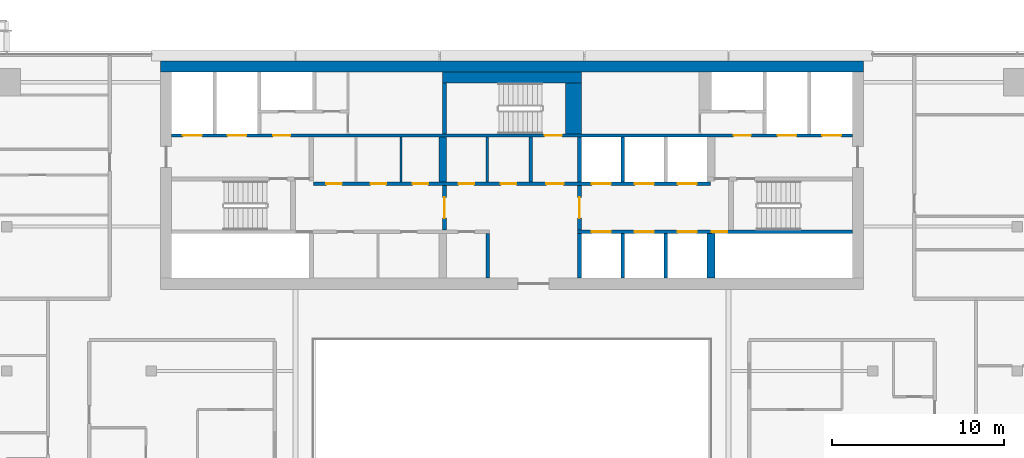
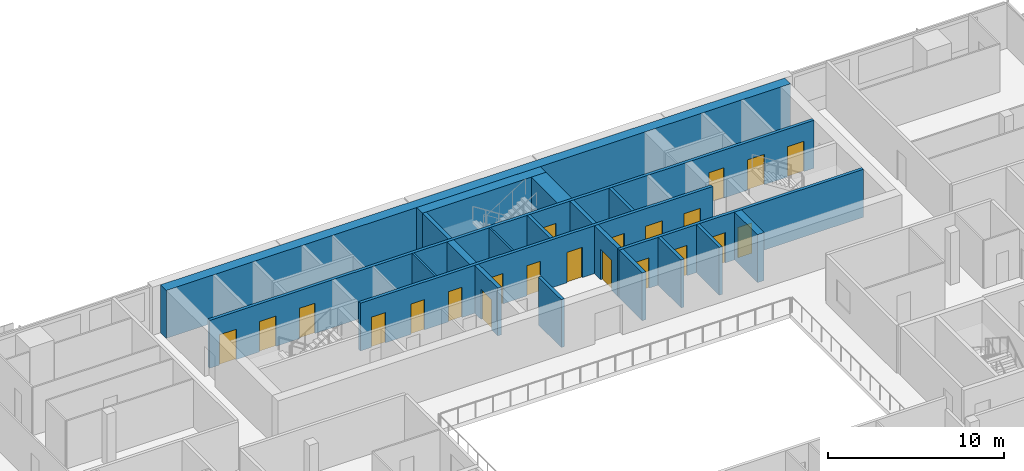
# One storey, part 22 of 30: 22 doors, 20 walls, 22 openings.
"""IFC4 building model written with IfcOpenShell, lengths in metres."""

from ifc_helpers import new_model, si_unit, direction, frame, frame_2d, origin, place, context, subcontext, project, spatial, rectangle, extrude, material, layer, layer_set, type_object, element, fill, save


model = new_model("IFC4")

# Units and contexts
model_context = context("Model", 3, precision=1e-05, world=origin(), true_north=direction((0.0, 1.0)))
body_context = subcontext(model_context, "Body", "Model", "MODEL_VIEW")
ifc_project = project(units=[si_unit("LENGTHUNIT", "METRE"), si_unit("AREAUNIT", "SQUARE_METRE"), si_unit("VOLUMEUNIT", "CUBIC_METRE"), si_unit("PLANEANGLEUNIT", "RADIAN"), si_unit("MASSUNIT", "GRAM", prefix="KILO")], contexts=[model_context])

# Site, building, storey
site_placement = place(None, origin())
site = spatial("IfcSite", under=ifc_project, at=site_placement, CompositionType="ELEMENT")
building_placement = place(site_placement, origin())
building = spatial("IfcBuilding", under=site, at=building_placement, Name="Saffron Gate Tower", CompositionType="ELEMENT")
storey_placement = place(building_placement, frame((0.0, 0.0, 237.89990234375)))
storey = spatial("IfcBuildingStorey", under=building, at=storey_placement, Name="L58", CompositionType="ELEMENT", Elevation=237.89990234375)

# Walls
ifc_material_1 = material(Name="Gypsum board partition on steel studs", Category="steel")
ifc_layer_1 = layer(ifc_material_1, 0.199951171875)
ifc_layer_set_1 = layer_set([ifc_layer_1], Name="CW10 Core partition 200")
wall_type_1 = type_object("IfcWallType", Name="CW10 Core partition 200", PredefinedType="PARTITIONING", material=ifc_layer_set_1)
for number, where, z_axis, x_axis, name in (
    (1, (86.199951171875, 62.39990234375, 0.0), (0.0, 0.0, 1.0), (0.0, 1.0, 0.0), "Wall CW10-L58-8"),
    (2, (88.699951171875, 68.0, 0.0), (0.0, 0.0, 1.0), (0.0, 1.0, 0.0), "Wall CW10-L58-24"),
):
    element("IfcWall", number, at=place(storey_placement, frame(where, z_axis=z_axis, x_axis=x_axis)), inside=storey, type_object=wall_type_1, Name=name, PredefinedType="PARTITIONING", context=body_context, shape_type="SweptSolid", body=[
        extrude(rectangle(XDim=2.60009765625, YDim=0.199951171875, at=frame_2d((1.300048828125, 0.0))), origin(), (0.0, 0.0, 1.0), 3.320068359375),
    ])
ifc_material_2 = material(Name="Concrete C60", Category="concrete")
ifc_layer_2 = layer(ifc_material_2, 0.25)
ifc_layer_set_2 = layer_set([ifc_layer_2], Name="CW14 RC core wall 250 C60")
wall_type_2 = type_object("IfcWallType", Name="CW14 RC core wall 250 C60", PredefinedType="SOLIDWALL", material=ifc_layer_set_2)
wall_1_placement = place(storey_placement, frame((91.52490234375, 62.39990234375, 0.0), z_axis=(0.0, 0.0, 1.0), x_axis=(0.0, 1.0, 0.0)))
element("IfcWall", 3, at=wall_1_placement, inside=storey, type_object=wall_type_2, Name="Wall CW14-L58-9", PredefinedType="SOLIDWALL", context=body_context, shape_type="SweptSolid", body=[
    extrude(rectangle(XDim=2.60009765625, YDim=0.25, at=frame_2d((1.300048828125, 0.0))), origin(), (0.0, 0.0, 1.0), 3.320068359375),
])

# Wall, opening, door
wall_2_placement = place(storey_placement, frame((83.675048828125, 65.199951171875, 0.0), z_axis=(0.0, 0.0, 1.0), x_axis=(0.0, 1.0, 0.0)))
wall_2 = element("IfcWall", 4, at=wall_2_placement, inside=storey, type_object=wall_type_2, Name="Wall CW14-L58-16", PredefinedType="SOLIDWALL", context=body_context, shape_type="SweptSolid", body=[
    extrude(rectangle(XDim=2.60009765625, YDim=0.25, at=frame_2d((1.300048828125, 0.0))), origin(), (0.0, 0.0, 1.0), 3.320068359375),
])
opening_1_placement = place(wall_2_placement, frame((0.699951171875, 0.0, 0.0)))
opening_1 = element("IfcOpeningElement", 5, at=opening_1_placement, cuts=wall_2, Name="Opening CR-07", PredefinedType="OPENING", context=body_context, shape_type="SweptSolid", body=[
    extrude(rectangle(XDim=1.199951171875, YDim=2.10009765625, at=frame_2d((0.60009765625, 1.050048828125))), frame((0.0, 0.135009765625, 0.0), z_axis=(0.0, -1.0, 0.0), x_axis=(1.0, 0.0, 0.0)), (0.0, 0.0, 1.0), 0.27001953125),
])
ifc_material_3 = material(Name="Steel fire door set", Category="steel")
door_type_1 = type_object("IfcDoorType", Name="CD3 Lobby door 1200x2100 EI 120", OperationType="NOTDEFINED", PredefinedType="DOOR", material=ifc_material_3)
door_1_placement = place(opening_1_placement, origin())
door_1 = element("IfcDoor", 6, at=door_1_placement, inside=storey, type_object=door_type_1, Name="DOOR CR-07", OperationType="SINGLE_SWING_RIGHT", OverallHeight=2.10009765625, OverallWidth=1.199951171875, PredefinedType="DOOR", context=body_context, shape_type="SweptSolid", body=[
    extrude(rectangle(XDim=1.199951171875, YDim=2.10009765625, at=frame_2d((0.60009765625, 1.050048828125))), frame((0.0, 0.02490234375, 0.0), z_axis=(0.0, -1.0, 0.0), x_axis=(1.0, 0.0, 0.0)), (0.0, 0.0, 1.0), 0.050048828125),
])
fill(opening_1, door_1)

wall_3_placement = place(storey_placement, frame((91.52490234375, 65.199951171875, 0.0), z_axis=(0.0, 0.0, 1.0), x_axis=(0.0, 1.0, 0.0)))
wall_3 = element("IfcWall", 7, at=wall_3_placement, inside=storey, type_object=wall_type_2, Name="Wall CW14-L58-17", PredefinedType="SOLIDWALL", context=body_context, shape_type="SweptSolid", body=[
    extrude(rectangle(XDim=2.60009765625, YDim=0.25, at=frame_2d((1.300048828125, 0.0))), origin(), (0.0, 0.0, 1.0), 3.320068359375),
])
opening_2_placement = place(wall_3_placement, frame((0.699951171875, 0.0, 0.0)))
opening_2 = element("IfcOpeningElement", 8, at=opening_2_placement, cuts=wall_3, Name="Opening CR-01", PredefinedType="OPENING", context=body_context, shape_type="SweptSolid", body=[
    extrude(rectangle(XDim=1.199951171875, YDim=2.10009765625, at=frame_2d((0.60009765625, 1.050048828125))), frame((0.0, 0.135009765625, 0.0), z_axis=(0.0, -1.0, 0.0), x_axis=(1.0, 0.0, 0.0)), (0.0, 0.0, 1.0), 0.27001953125),
])
door_2_placement = place(opening_2_placement, origin())
door_2 = element("IfcDoor", 9, at=door_2_placement, inside=storey, type_object=door_type_1, Name="DOOR CR-01", OperationType="SINGLE_SWING_RIGHT", OverallHeight=2.10009765625, OverallWidth=1.199951171875, PredefinedType="DOOR", context=body_context, shape_type="SweptSolid", body=[
    extrude(rectangle(XDim=1.199951171875, YDim=2.10009765625, at=frame_2d((0.60009765625, 1.050048828125))), frame((0.0, 0.02490234375, 0.0), z_axis=(0.0, -1.0, 0.0), x_axis=(1.0, 0.0, 0.0)), (0.0, 0.0, 1.0), 0.050048828125),
])
fill(opening_2, door_2)

# Walls
wall_4_placement = place(storey_placement, frame((91.52490234375, 68.0, 0.0), z_axis=(0.0, 0.0, 1.0), x_axis=(0.0, 1.0, 0.0)))
element("IfcWall", 10, at=wall_4_placement, inside=storey, type_object=wall_type_2, Name="Wall CW14-L58-25", PredefinedType="SOLIDWALL", context=body_context, shape_type="SweptSolid", body=[
    extrude(rectangle(XDim=2.60009765625, YDim=0.25, at=frame_2d((1.300048828125, 0.0))), origin(), (0.0, 0.0, 1.0), 3.320068359375),
])
wall_5_placement = place(storey_placement, frame((83.675048828125, 70.800048828125, 0.0), z_axis=(0.0, 0.0, 1.0), x_axis=(0.0, 1.0, 0.0)))
element("IfcWall", 11, at=wall_5_placement, inside=storey, type_object=wall_type_2, Name="Wall CW14-L58-37", PredefinedType="SOLIDWALL", context=body_context, shape_type="SweptSolid", body=[
    extrude(rectangle(XDim=2.949951171875, YDim=0.25, at=frame_2d((1.47509765625, 0.0))), origin(), (0.0, 0.0, 1.0), 3.320068359375),
])
ifc_layer_3 = layer(ifc_material_2, 0.199951171875)
ifc_layer_set_3 = layer_set([ifc_layer_3], Name="CW15 RC core wall 200 C60")
wall_type_3 = type_object("IfcWallType", Name="CW15 RC core wall 200 C60", PredefinedType="SOLIDWALL", material=ifc_layer_set_3)
for number, where, z_axis, x_axis, name in (
    (12, (94.050048828125, 62.39990234375, 0.0), (0.0, 0.0, 1.0), (0.0, 1.0, 0.0), "Wall CW15-L58-10"),
    (13, (96.550048828125, 62.39990234375, 0.0), (0.0, 0.0, 1.0), (0.0, 1.0, 0.0), "Wall CW15-L58-11"),
):
    element("IfcWall", number, at=place(storey_placement, frame(where, z_axis=z_axis, x_axis=x_axis)), inside=storey, type_object=wall_type_3, Name=name, PredefinedType="SOLIDWALL", context=body_context, shape_type="SweptSolid", body=[
        extrude(rectangle(XDim=2.60009765625, YDim=0.199951171875, at=frame_2d((1.300048828125, 0.0))), origin(), (0.0, 0.0, 1.0), 3.320068359375),
    ])

# Wall, openings, doors
wall_6_placement = place(storey_placement, frame((91.39990234375, 65.10009765625, 0.0), z_axis=(0.0, 0.0, 1.0), x_axis=(1.0, 0.0, 0.0)))
wall_6 = element("IfcWall", 14, at=wall_6_placement, inside=storey, type_object=wall_type_3, Name="Wall CW15-L58-14", PredefinedType="SOLIDWALL", context=body_context, shape_type="SweptSolid", body=[
    extrude(rectangle(XDim=16.0, YDim=0.199951171875, at=frame_2d((8.0, 0.0))), origin(), (0.0, 0.0, 1.0), 3.320068359375),
])
opening_3_placement = place(wall_6_placement, frame((0.85009765625, 0.0, 0.0)))
opening_3 = element("IfcOpeningElement", 15, at=opening_3_placement, cuts=wall_6, Name="Opening LD-HR1", PredefinedType="OPENING", context=body_context, shape_type="SweptSolid", body=[
    extrude(rectangle(XDim=1.10009765625, YDim=2.10009765625, at=frame_2d((0.550048828125, 1.050048828125))), frame((0.0, 0.10986328125, 0.0), z_axis=(0.0, -1.0, 0.0), x_axis=(1.0, 0.0, 0.0)), (0.0, 0.0, 1.0), 0.219970703125),
])
opening_4_placement = place(wall_6_placement, frame((3.35009765625, 0.0, 0.0)))
opening_4 = element("IfcOpeningElement", 16, at=opening_4_placement, cuts=wall_6, Name="Opening LD-HR2", PredefinedType="OPENING", context=body_context, shape_type="SweptSolid", body=[
    extrude(rectangle(XDim=1.10009765625, YDim=2.10009765625, at=frame_2d((0.550048828125, 1.050048828125))), frame((0.0, 0.10986328125, 0.0), z_axis=(0.0, -1.0, 0.0), x_axis=(1.0, 0.0, 0.0)), (0.0, 0.0, 1.0), 0.219970703125),
])
opening_5_placement = place(wall_6_placement, frame((5.85009765625, 0.0, 0.0)))
opening_5 = element("IfcOpeningElement", 17, at=opening_5_placement, cuts=wall_6, Name="Opening LD-HR3", PredefinedType="OPENING", context=body_context, shape_type="SweptSolid", body=[
    extrude(rectangle(XDim=1.10009765625, YDim=2.10009765625, at=frame_2d((0.550048828125, 1.050048828125))), frame((0.0, 0.10986328125, 0.0), z_axis=(0.0, -1.0, 0.0), x_axis=(1.0, 0.0, 0.0)), (0.0, 0.0, 1.0), 0.219970703125),
])
opening_6_placement = place(wall_6_placement, frame((7.830078125, 0.0, 0.0)))
opening_6 = element("IfcOpeningElement", 18, at=opening_6_placement, cuts=wall_6, Name="Opening CR-48", PredefinedType="OPENING", context=body_context, shape_type="SweptSolid", body=[
    extrude(rectangle(XDim=0.89990234375, YDim=2.10009765625, at=frame_2d((0.449951171875, 1.050048828125))), frame((0.0, 0.10986328125, 0.0), z_axis=(0.0, -1.0, 0.0), x_axis=(1.0, 0.0, 0.0)), (0.0, 0.0, 1.0), 0.219970703125),
])
door_type_2 = type_object("IfcDoorType", Name="CD2 Riser door 900x2100 EI 60", OperationType="NOTDEFINED", PredefinedType="DOOR", material=ifc_material_3)
door_3_placement = place(opening_6_placement, origin())
door_3 = element("IfcDoor", 19, at=door_3_placement, inside=storey, type_object=door_type_2, Name="DOOR CR-48", OperationType="SINGLE_SWING_RIGHT", OverallHeight=2.10009765625, OverallWidth=0.89990234375, PredefinedType="DOOR", context=body_context, shape_type="SweptSolid", body=[
    extrude(rectangle(XDim=0.89990234375, YDim=2.10009765625, at=frame_2d((0.449951171875, 1.050048828125))), frame((0.0, 0.02490234375, 0.0), z_axis=(0.0, -1.0, 0.0), x_axis=(1.0, 0.0, 0.0)), (0.0, 0.0, 1.0), 0.050048828125),
])
fill(opening_6, door_3)
ifc_material_4 = material(Name="Stainless steel landing door", Category="steel")
door_type_3 = type_object("IfcDoorType", Name="LD Lift landing door 1100x2100 EI 120", OperationType="SLIDING_TO_LEFT", PredefinedType="DOOR", material=ifc_material_4)
door_4_placement = place(opening_3_placement, origin())
door_4 = element("IfcDoor", 20, at=door_4_placement, inside=storey, type_object=door_type_3, Name="LANDING DOOR LD-HR1", OperationType="SLIDING_TO_LEFT", OverallHeight=2.10009765625, OverallWidth=1.10009765625, PredefinedType="DOOR", context=body_context, shape_type="SweptSolid", body=[
    extrude(rectangle(XDim=1.10009765625, YDim=2.10009765625, at=frame_2d((0.550048828125, 1.050048828125))), frame((0.0, 0.02490234375, 0.0), z_axis=(0.0, -1.0, 0.0), x_axis=(1.0, 0.0, 0.0)), (0.0, 0.0, 1.0), 0.050048828125),
])
fill(opening_3, door_4)
door_5_placement = place(opening_4_placement, origin())
door_5 = element("IfcDoor", 21, at=door_5_placement, inside=storey, type_object=door_type_3, Name="LANDING DOOR LD-HR2", OperationType="SLIDING_TO_LEFT", OverallHeight=2.10009765625, OverallWidth=1.10009765625, PredefinedType="DOOR", context=body_context, shape_type="SweptSolid", body=[
    extrude(rectangle(XDim=1.10009765625, YDim=2.10009765625, at=frame_2d((0.550048828125, 1.050048828125))), frame((0.0, 0.02490234375, 0.0), z_axis=(0.0, -1.0, 0.0), x_axis=(1.0, 0.0, 0.0)), (0.0, 0.0, 1.0), 0.050048828125),
])
fill(opening_4, door_5)
door_6_placement = place(opening_5_placement, origin())
door_6 = element("IfcDoor", 22, at=door_6_placement, inside=storey, type_object=door_type_3, Name="LANDING DOOR LD-HR3", OperationType="SLIDING_TO_LEFT", OverallHeight=2.10009765625, OverallWidth=1.10009765625, PredefinedType="DOOR", context=body_context, shape_type="SweptSolid", body=[
    extrude(rectangle(XDim=1.10009765625, YDim=2.10009765625, at=frame_2d((0.550048828125, 1.050048828125))), frame((0.0, 0.02490234375, 0.0), z_axis=(0.0, -1.0, 0.0), x_axis=(1.0, 0.0, 0.0)), (0.0, 0.0, 1.0), 0.050048828125),
])
fill(opening_5, door_6)

wall_7_placement = place(storey_placement, frame((76.050048828125, 67.89990234375, 0.0), z_axis=(0.0, 0.0, 1.0), x_axis=(1.0, 0.0, 0.0)))
wall_7 = element("IfcWall", 23, at=wall_7_placement, inside=storey, type_object=wall_type_3, Name="Wall CW15-L58-19", PredefinedType="SOLIDWALL", context=body_context, shape_type="SweptSolid", body=[
    extrude(rectangle(XDim=23.099853515625, YDim=0.199951171875, at=frame_2d((11.5498046875, 0.0))), origin(), (0.0, 0.0, 1.0), 3.320068359375),
])
opening_7_placement = place(wall_7_placement, frame((0.75, 0.0, 0.0)))
opening_7 = element("IfcOpeningElement", 24, at=opening_7_placement, cuts=wall_7, Name="Opening CR-61", PredefinedType="OPENING", context=body_context, shape_type="SweptSolid", body=[
    extrude(rectangle(XDim=0.89990234375, YDim=2.10009765625, at=frame_2d((0.449951171875, 1.050048828125))), frame((0.0, 0.10986328125, 0.0), z_axis=(0.0, -1.0, 0.0), x_axis=(1.0, 0.0, 0.0)), (0.0, 0.0, 1.0), 0.219970703125),
])
opening_8_placement = place(wall_7_placement, frame((3.320068359375, 0.0, 0.0)))
opening_8 = element("IfcOpeningElement", 25, at=opening_8_placement, cuts=wall_7, Name="Opening CR-62", PredefinedType="OPENING", context=body_context, shape_type="SweptSolid", body=[
    extrude(rectangle(XDim=0.89990234375, YDim=2.10009765625, at=frame_2d((0.449951171875, 1.050048828125))), frame((0.0, 0.10986328125, 0.0), z_axis=(0.0, -1.0, 0.0), x_axis=(1.0, 0.0, 0.0)), (0.0, 0.0, 1.0), 0.219970703125),
])
opening_9_placement = place(wall_7_placement, frame((5.77001953125, 0.0, 0.0)))
opening_9 = element("IfcOpeningElement", 26, at=opening_9_placement, cuts=wall_7, Name="Opening CR-63", PredefinedType="OPENING", context=body_context, shape_type="SweptSolid", body=[
    extrude(rectangle(XDim=0.89990234375, YDim=2.10009765625, at=frame_2d((0.449951171875, 1.050048828125))), frame((0.0, 0.10986328125, 0.0), z_axis=(0.0, -1.0, 0.0), x_axis=(1.0, 0.0, 0.0)), (0.0, 0.0, 1.0), 0.219970703125),
])
opening_10_placement = place(wall_7_placement, frame((8.449951171875, 0.0, 0.0)))
opening_10 = element("IfcOpeningElement", 27, at=opening_10_placement, cuts=wall_7, Name="Opening CR-67", PredefinedType="OPENING", context=body_context, shape_type="SweptSolid", body=[
    extrude(rectangle(XDim=0.89990234375, YDim=2.10009765625, at=frame_2d((0.449951171875, 1.050048828125))), frame((0.0, 0.10986328125, 0.0), z_axis=(0.0, -1.0, 0.0), x_axis=(1.0, 0.0, 0.0)), (0.0, 0.0, 1.0), 0.219970703125),
])
opening_11_placement = place(wall_7_placement, frame((10.909912109375, 0.0, 0.0)))
opening_11 = element("IfcOpeningElement", 28, at=opening_11_placement, cuts=wall_7, Name="Opening CR-68", PredefinedType="OPENING", context=body_context, shape_type="SweptSolid", body=[
    extrude(rectangle(XDim=0.89990234375, YDim=2.10009765625, at=frame_2d((0.449951171875, 1.050048828125))), frame((0.0, 0.10986328125, 0.0), z_axis=(0.0, -1.0, 0.0), x_axis=(1.0, 0.0, 0.0)), (0.0, 0.0, 1.0), 0.219970703125),
])
opening_12_placement = place(wall_7_placement, frame((13.550048828125, 0.0, 0.0)))
opening_12 = element("IfcOpeningElement", 29, at=opening_12_placement, cuts=wall_7, Name="Opening CR-02", PredefinedType="OPENING", context=body_context, shape_type="SweptSolid", body=[
    extrude(rectangle(XDim=1.0, YDim=2.10009765625, at=frame_2d((0.5, 1.050048828125))), frame((0.0, 0.10986328125, 0.0), z_axis=(0.0, -1.0, 0.0), x_axis=(1.0, 0.0, 0.0)), (0.0, 0.0, 1.0), 0.219970703125),
])
opening_13_placement = place(wall_7_placement, frame((16.199951171875, 0.0, 0.0)))
opening_13 = element("IfcOpeningElement", 30, at=opening_13_placement, cuts=wall_7, Name="Opening LD-HR4", PredefinedType="OPENING", context=body_context, shape_type="SweptSolid", body=[
    extrude(rectangle(XDim=1.10009765625, YDim=2.10009765625, at=frame_2d((0.550048828125, 1.050048828125))), frame((0.0, 0.10986328125, 0.0), z_axis=(0.0, -1.0, 0.0), x_axis=(1.0, 0.0, 0.0)), (0.0, 0.0, 1.0), 0.219970703125),
])
opening_14_placement = place(wall_7_placement, frame((18.699951171875, 0.0, 0.0)))
opening_14 = element("IfcOpeningElement", 31, at=opening_14_placement, cuts=wall_7, Name="Opening LD-HR5", PredefinedType="OPENING", context=body_context, shape_type="SweptSolid", body=[
    extrude(rectangle(XDim=1.10009765625, YDim=2.10009765625, at=frame_2d((0.550048828125, 1.050048828125))), frame((0.0, 0.10986328125, 0.0), z_axis=(0.0, -1.0, 0.0), x_axis=(1.0, 0.0, 0.0)), (0.0, 0.0, 1.0), 0.219970703125),
])
opening_15_placement = place(wall_7_placement, frame((21.199951171875, 0.0, 0.0)))
opening_15 = element("IfcOpeningElement", 32, at=opening_15_placement, cuts=wall_7, Name="Opening LD-HR6", PredefinedType="OPENING", context=body_context, shape_type="SweptSolid", body=[
    extrude(rectangle(XDim=1.10009765625, YDim=2.10009765625, at=frame_2d((0.550048828125, 1.050048828125))), frame((0.0, 0.10986328125, 0.0), z_axis=(0.0, -1.0, 0.0), x_axis=(1.0, 0.0, 0.0)), (0.0, 0.0, 1.0), 0.219970703125),
])
door_type_4 = type_object("IfcDoorType", Name="CD4 Lobby door 1000x2100 EI 120", OperationType="NOTDEFINED", PredefinedType="DOOR", material=ifc_material_3)
door_7_placement = place(opening_12_placement, origin())
door_7 = element("IfcDoor", 33, at=door_7_placement, inside=storey, type_object=door_type_4, Name="DOOR CR-02", OperationType="SINGLE_SWING_LEFT", OverallHeight=2.10009765625, OverallWidth=1.0, PredefinedType="DOOR", context=body_context, shape_type="SweptSolid", body=[
    extrude(rectangle(XDim=1.0, YDim=2.10009765625, at=frame_2d((0.5, 1.050048828125))), frame((0.0, 0.02490234375, 0.0), z_axis=(0.0, -1.0, 0.0), x_axis=(1.0, 0.0, 0.0)), (0.0, 0.0, 1.0), 0.050048828125),
])
fill(opening_12, door_7)
door_type_5 = type_object("IfcDoorType", Name="CD9 Room door 900x2100 EI 60", OperationType="NOTDEFINED", PredefinedType="DOOR", material=ifc_material_3)
door_8_placement = place(opening_7_placement, origin())
door_8 = element("IfcDoor", 34, at=door_8_placement, inside=storey, type_object=door_type_5, Name="DOOR CR-61", OperationType="SINGLE_SWING_LEFT", OverallHeight=2.10009765625, OverallWidth=0.89990234375, PredefinedType="DOOR", context=body_context, shape_type="SweptSolid", body=[
    extrude(rectangle(XDim=0.89990234375, YDim=2.10009765625, at=frame_2d((0.449951171875, 1.050048828125))), frame((0.0, 0.02490234375, 0.0), z_axis=(0.0, -1.0, 0.0), x_axis=(1.0, 0.0, 0.0)), (0.0, 0.0, 1.0), 0.050048828125),
])
fill(opening_7, door_8)
door_9_placement = place(opening_8_placement, origin())
door_9 = element("IfcDoor", 35, at=door_9_placement, inside=storey, type_object=door_type_5, Name="DOOR CR-62", OperationType="SINGLE_SWING_LEFT", OverallHeight=2.10009765625, OverallWidth=0.89990234375, PredefinedType="DOOR", context=body_context, shape_type="SweptSolid", body=[
    extrude(rectangle(XDim=0.89990234375, YDim=2.10009765625, at=frame_2d((0.449951171875, 1.050048828125))), frame((0.0, 0.02490234375, 0.0), z_axis=(0.0, -1.0, 0.0), x_axis=(1.0, 0.0, 0.0)), (0.0, 0.0, 1.0), 0.050048828125),
])
fill(opening_8, door_9)
door_10_placement = place(opening_9_placement, origin())
door_10 = element("IfcDoor", 36, at=door_10_placement, inside=storey, type_object=door_type_5, Name="DOOR CR-63", OperationType="SINGLE_SWING_LEFT", OverallHeight=2.10009765625, OverallWidth=0.89990234375, PredefinedType="DOOR", context=body_context, shape_type="SweptSolid", body=[
    extrude(rectangle(XDim=0.89990234375, YDim=2.10009765625, at=frame_2d((0.449951171875, 1.050048828125))), frame((0.0, 0.02490234375, 0.0), z_axis=(0.0, -1.0, 0.0), x_axis=(1.0, 0.0, 0.0)), (0.0, 0.0, 1.0), 0.050048828125),
])
fill(opening_9, door_10)
door_11_placement = place(opening_10_placement, origin())
door_11 = element("IfcDoor", 37, at=door_11_placement, inside=storey, type_object=door_type_5, Name="DOOR CR-67", OperationType="SINGLE_SWING_LEFT", OverallHeight=2.10009765625, OverallWidth=0.89990234375, PredefinedType="DOOR", context=body_context, shape_type="SweptSolid", body=[
    extrude(rectangle(XDim=0.89990234375, YDim=2.10009765625, at=frame_2d((0.449951171875, 1.050048828125))), frame((0.0, 0.02490234375, 0.0), z_axis=(0.0, -1.0, 0.0), x_axis=(1.0, 0.0, 0.0)), (0.0, 0.0, 1.0), 0.050048828125),
])
fill(opening_10, door_11)
door_12_placement = place(opening_11_placement, origin())
door_12 = element("IfcDoor", 38, at=door_12_placement, inside=storey, type_object=door_type_5, Name="DOOR CR-68", OperationType="SINGLE_SWING_LEFT", OverallHeight=2.10009765625, OverallWidth=0.89990234375, PredefinedType="DOOR", context=body_context, shape_type="SweptSolid", body=[
    extrude(rectangle(XDim=0.89990234375, YDim=2.10009765625, at=frame_2d((0.449951171875, 1.050048828125))), frame((0.0, 0.02490234375, 0.0), z_axis=(0.0, -1.0, 0.0), x_axis=(1.0, 0.0, 0.0)), (0.0, 0.0, 1.0), 0.050048828125),
])
fill(opening_11, door_12)
door_13_placement = place(opening_13_placement, origin())
door_13 = element("IfcDoor", 39, at=door_13_placement, inside=storey, type_object=door_type_3, Name="LANDING DOOR LD-HR4", OperationType="SLIDING_TO_RIGHT", OverallHeight=2.10009765625, OverallWidth=1.10009765625, PredefinedType="DOOR", context=body_context, shape_type="SweptSolid", body=[
    extrude(rectangle(XDim=1.10009765625, YDim=2.10009765625, at=frame_2d((0.550048828125, 1.050048828125))), frame((0.0, 0.02490234375, 0.0), z_axis=(0.0, -1.0, 0.0), x_axis=(1.0, 0.0, 0.0)), (0.0, 0.0, 1.0), 0.050048828125),
])
fill(opening_13, door_13)
door_14_placement = place(opening_14_placement, origin())
door_14 = element("IfcDoor", 40, at=door_14_placement, inside=storey, type_object=door_type_3, Name="LANDING DOOR LD-HR5", OperationType="SLIDING_TO_RIGHT", OverallHeight=2.10009765625, OverallWidth=1.10009765625, PredefinedType="DOOR", context=body_context, shape_type="SweptSolid", body=[
    extrude(rectangle(XDim=1.10009765625, YDim=2.10009765625, at=frame_2d((0.550048828125, 1.050048828125))), frame((0.0, 0.02490234375, 0.0), z_axis=(0.0, -1.0, 0.0), x_axis=(1.0, 0.0, 0.0)), (0.0, 0.0, 1.0), 0.050048828125),
])
fill(opening_14, door_14)
door_15_placement = place(opening_15_placement, origin())
door_15 = element("IfcDoor", 41, at=door_15_placement, inside=storey, type_object=door_type_3, Name="LANDING DOOR LD-HR6", OperationType="SLIDING_TO_RIGHT", OverallHeight=2.10009765625, OverallWidth=1.10009765625, PredefinedType="DOOR", context=body_context, shape_type="SweptSolid", body=[
    extrude(rectangle(XDim=1.10009765625, YDim=2.10009765625, at=frame_2d((0.550048828125, 1.050048828125))), frame((0.0, 0.02490234375, 0.0), z_axis=(0.0, -1.0, 0.0), x_axis=(1.0, 0.0, 0.0)), (0.0, 0.0, 1.0), 0.050048828125),
])
fill(opening_15, door_15)

# Wall
wall_8_placement = place(storey_placement, frame((94.050048828125, 68.0, 0.0), z_axis=(0.0, 0.0, 1.0), x_axis=(0.0, 1.0, 0.0)))
element("IfcWall", 42, at=wall_8_placement, inside=storey, type_object=wall_type_3, Name="Wall CW15-L58-26", PredefinedType="SOLIDWALL", context=body_context, shape_type="SweptSolid", body=[
    extrude(rectangle(XDim=2.60009765625, YDim=0.199951171875, at=frame_2d((1.300048828125, 0.0))), origin(), (0.0, 0.0, 1.0), 3.320068359375),
])

# Wall, openings, doors
wall_9_placement = place(storey_placement, frame((67.800048828125, 70.699951171875, 0.0), z_axis=(0.0, 0.0, 1.0), x_axis=(1.0, 0.0, 0.0)))
wall_9 = element("IfcWall", 43, at=wall_9_placement, inside=storey, type_object=wall_type_3, Name="Wall CW15-L58-33", PredefinedType="SOLIDWALL", context=body_context, shape_type="SweptSolid", body=[
    extrude(rectangle(XDim=39.599853515625, YDim=0.199951171875, at=frame_2d((19.7998046875, 0.0))), origin(), (0.0, 0.0, 1.0), 3.320068359375),
])
opening_16_placement = place(wall_9_placement, frame((0.64990234375, 0.0, 0.0)))
opening_16 = element("IfcOpeningElement", 44, at=opening_16_placement, cuts=wall_9, Name="Opening LD-FF1", PredefinedType="OPENING", context=body_context, shape_type="SweptSolid", body=[
    extrude(rectangle(XDim=1.10009765625, YDim=2.10009765625, at=frame_2d((0.550048828125, 1.050048828125))), frame((0.0, 0.10986328125, 0.0), z_axis=(0.0, -1.0, 0.0), x_axis=(1.0, 0.0, 0.0)), (0.0, 0.0, 1.0), 0.219970703125),
])
opening_17_placement = place(wall_9_placement, frame((3.25, 0.0, 0.0)))
opening_17 = element("IfcOpeningElement", 45, at=opening_17_placement, cuts=wall_9, Name="Opening LD-SV1", PredefinedType="OPENING", context=body_context, shape_type="SweptSolid", body=[
    extrude(rectangle(XDim=1.10009765625, YDim=2.10009765625, at=frame_2d((0.550048828125, 1.050048828125))), frame((0.0, 0.10986328125, 0.0), z_axis=(0.0, -1.0, 0.0), x_axis=(1.0, 0.0, 0.0)), (0.0, 0.0, 1.0), 0.219970703125),
])
opening_18_placement = place(wall_9_placement, frame((5.89990234375, 0.0, 0.0)))
opening_18 = element("IfcOpeningElement", 46, at=opening_18_placement, cuts=wall_9, Name="Opening CR-03", PredefinedType="OPENING", context=body_context, shape_type="SweptSolid", body=[
    extrude(rectangle(XDim=1.0, YDim=2.10009765625, at=frame_2d((0.5, 1.050048828125))), frame((0.0, 0.10986328125, 0.0), z_axis=(0.0, -1.0, 0.0), x_axis=(1.0, 0.0, 0.0)), (0.0, 0.0, 1.0), 0.219970703125),
])
opening_19_placement = place(wall_9_placement, frame((21.699951171875, 0.0, 0.0)))
opening_19 = element("IfcOpeningElement", 47, at=opening_19_placement, cuts=wall_9, Name="Opening CR-17", PredefinedType="OPENING", context=body_context, shape_type="SweptSolid", body=[
    extrude(rectangle(XDim=1.0, YDim=2.10009765625, at=frame_2d((0.5, 1.050048828125))), frame((0.0, 0.10986328125, 0.0), z_axis=(0.0, -1.0, 0.0), x_axis=(1.0, 0.0, 0.0)), (0.0, 0.0, 1.0), 0.219970703125),
])
opening_20_placement = place(wall_9_placement, frame((32.699951171875, 0.0, 0.0)))
opening_20 = element("IfcOpeningElement", 48, at=opening_20_placement, cuts=wall_9, Name="Opening CR-04", PredefinedType="OPENING", context=body_context, shape_type="SweptSolid", body=[
    extrude(rectangle(XDim=1.0, YDim=2.10009765625, at=frame_2d((0.5, 1.050048828125))), frame((0.0, 0.10986328125, 0.0), z_axis=(0.0, -1.0, 0.0), x_axis=(1.0, 0.0, 0.0)), (0.0, 0.0, 1.0), 0.219970703125),
])
opening_21_placement = place(wall_9_placement, frame((35.25, 0.0, 0.0)))
opening_21 = element("IfcOpeningElement", 49, at=opening_21_placement, cuts=wall_9, Name="Opening LD-SV2", PredefinedType="OPENING", context=body_context, shape_type="SweptSolid", body=[
    extrude(rectangle(XDim=1.10009765625, YDim=2.10009765625, at=frame_2d((0.550048828125, 1.050048828125))), frame((0.0, 0.10986328125, 0.0), z_axis=(0.0, -1.0, 0.0), x_axis=(1.0, 0.0, 0.0)), (0.0, 0.0, 1.0), 0.219970703125),
])
opening_22_placement = place(wall_9_placement, frame((37.85009765625, 0.0, 0.0)))
opening_22 = element("IfcOpeningElement", 50, at=opening_22_placement, cuts=wall_9, Name="Opening LD-FF2", PredefinedType="OPENING", context=body_context, shape_type="SweptSolid", body=[
    extrude(rectangle(XDim=1.10009765625, YDim=2.10009765625, at=frame_2d((0.550048828125, 1.050048828125))), frame((0.0, 0.10986328125, 0.0), z_axis=(0.0, -1.0, 0.0), x_axis=(1.0, 0.0, 0.0)), (0.0, 0.0, 1.0), 0.219970703125),
])
door_16_placement = place(opening_18_placement, origin())
door_16 = element("IfcDoor", 51, at=door_16_placement, inside=storey, type_object=door_type_4, Name="DOOR CR-03", OperationType="SINGLE_SWING_LEFT", OverallHeight=2.10009765625, OverallWidth=1.0, PredefinedType="DOOR", context=body_context, shape_type="SweptSolid", body=[
    extrude(rectangle(XDim=1.0, YDim=2.10009765625, at=frame_2d((0.5, 1.050048828125))), frame((0.0, 0.02490234375, 0.0), z_axis=(0.0, -1.0, 0.0), x_axis=(1.0, 0.0, 0.0)), (0.0, 0.0, 1.0), 0.050048828125),
])
fill(opening_18, door_16)
door_17_placement = place(opening_20_placement, origin())
door_17 = element("IfcDoor", 52, at=door_17_placement, inside=storey, type_object=door_type_4, Name="DOOR CR-04", OperationType="SINGLE_SWING_RIGHT", OverallHeight=2.10009765625, OverallWidth=1.0, PredefinedType="DOOR", context=body_context, shape_type="SweptSolid", body=[
    extrude(rectangle(XDim=1.0, YDim=2.10009765625, at=frame_2d((0.5, 1.050048828125))), frame((0.0, 0.02490234375, 0.0), z_axis=(0.0, -1.0, 0.0), x_axis=(1.0, 0.0, 0.0)), (0.0, 0.0, 1.0), 0.050048828125),
])
fill(opening_20, door_17)
door_type_6 = type_object("IfcDoorType", Name="CD5 Stair door 1000x2100 EI 120", OperationType="NOTDEFINED", PredefinedType="DOOR", material=ifc_material_3)
door_18_placement = place(opening_19_placement, origin())
door_18 = element("IfcDoor", 53, at=door_18_placement, inside=storey, type_object=door_type_6, Name="DOOR CR-17", OperationType="SINGLE_SWING_RIGHT", OverallHeight=2.10009765625, OverallWidth=1.0, PredefinedType="DOOR", context=body_context, shape_type="SweptSolid", body=[
    extrude(rectangle(XDim=1.0, YDim=2.10009765625, at=frame_2d((0.5, 1.050048828125))), frame((0.0, 0.02490234375, 0.0), z_axis=(0.0, -1.0, 0.0), x_axis=(1.0, 0.0, 0.0)), (0.0, 0.0, 1.0), 0.050048828125),
])
fill(opening_19, door_18)
door_19_placement = place(opening_16_placement, origin())
door_19 = element("IfcDoor", 54, at=door_19_placement, inside=storey, type_object=door_type_3, Name="LANDING DOOR LD-FF1", OperationType="SLIDING_TO_RIGHT", OverallHeight=2.10009765625, OverallWidth=1.10009765625, PredefinedType="DOOR", context=body_context, shape_type="SweptSolid", body=[
    extrude(rectangle(XDim=1.10009765625, YDim=2.10009765625, at=frame_2d((0.550048828125, 1.050048828125))), frame((0.0, 0.02490234375, 0.0), z_axis=(0.0, -1.0, 0.0), x_axis=(1.0, 0.0, 0.0)), (0.0, 0.0, 1.0), 0.050048828125),
])
fill(opening_16, door_19)
door_20_placement = place(opening_17_placement, origin())
door_20 = element("IfcDoor", 55, at=door_20_placement, inside=storey, type_object=door_type_3, Name="LANDING DOOR LD-SV1", OperationType="SLIDING_TO_RIGHT", OverallHeight=2.10009765625, OverallWidth=1.10009765625, PredefinedType="DOOR", context=body_context, shape_type="SweptSolid", body=[
    extrude(rectangle(XDim=1.10009765625, YDim=2.10009765625, at=frame_2d((0.550048828125, 1.050048828125))), frame((0.0, 0.02490234375, 0.0), z_axis=(0.0, -1.0, 0.0), x_axis=(1.0, 0.0, 0.0)), (0.0, 0.0, 1.0), 0.050048828125),
])
fill(opening_17, door_20)
door_21_placement = place(opening_21_placement, origin())
door_21 = element("IfcDoor", 56, at=door_21_placement, inside=storey, type_object=door_type_3, Name="LANDING DOOR LD-SV2", OperationType="SLIDING_TO_RIGHT", OverallHeight=2.10009765625, OverallWidth=1.10009765625, PredefinedType="DOOR", context=body_context, shape_type="SweptSolid", body=[
    extrude(rectangle(XDim=1.10009765625, YDim=2.10009765625, at=frame_2d((0.550048828125, 1.050048828125))), frame((0.0, 0.02490234375, 0.0), z_axis=(0.0, -1.0, 0.0), x_axis=(1.0, 0.0, 0.0)), (0.0, 0.0, 1.0), 0.050048828125),
])
fill(opening_21, door_21)
door_22_placement = place(opening_22_placement, origin())
door_22 = element("IfcDoor", 57, at=door_22_placement, inside=storey, type_object=door_type_3, Name="LANDING DOOR LD-FF2", OperationType="SLIDING_TO_RIGHT", OverallHeight=2.10009765625, OverallWidth=1.10009765625, PredefinedType="DOOR", context=body_context, shape_type="SweptSolid", body=[
    extrude(rectangle(XDim=1.10009765625, YDim=2.10009765625, at=frame_2d((0.550048828125, 1.050048828125))), frame((0.0, 0.02490234375, 0.0), z_axis=(0.0, -1.0, 0.0), x_axis=(1.0, 0.0, 0.0)), (0.0, 0.0, 1.0), 0.050048828125),
])
fill(opening_22, door_22)

# Walls
ifc_layer_4 = layer(ifc_material_2, 0.449951171875)
ifc_layer_set_4 = layer_set([ifc_layer_4], Name="CW16 RC core wall 450 C60")
wall_type_4 = type_object("IfcWallType", Name="CW16 RC core wall 450 C60", PredefinedType="SOLIDWALL", material=ifc_layer_set_4)
for number, where, z_axis, x_axis, name in (
    (58, (99.175048828125, 62.39990234375, 0.0), (0.0, 0.0, 1.0), (0.0, 1.0, 0.0), "Wall CW16-L58-12"),
    (59, (83.574951171875, 68.0, 0.0), (0.0, 0.0, 1.0), (0.0, 1.0, 0.0), "Wall CW16-L58-22"),
):
    element("IfcWall", number, at=place(storey_placement, frame(where, z_axis=z_axis, x_axis=x_axis)), inside=storey, type_object=wall_type_4, Name=name, PredefinedType="SOLIDWALL", context=body_context, shape_type="SweptSolid", body=[
        extrude(rectangle(XDim=2.60009765625, YDim=0.449951171875, at=frame_2d((1.300048828125, 0.0))), origin(), (0.0, 0.0, 1.0), 3.320068359375),
    ])
ifc_layer_5 = layer(ifc_material_2, 0.949951171875)
ifc_layer_set_5 = layer_set([ifc_layer_5], Name="CW19 RC core wall 950 C60")
wall_type_5 = type_object("IfcWallType", Name="CW19 RC core wall 950 C60", PredefinedType="SOLIDWALL", material=ifc_layer_set_5)
wall_10_placement = place(storey_placement, frame((91.175048828125, 70.800048828125, 0.0), z_axis=(0.0, 0.0, 1.0), x_axis=(0.0, 1.0, 0.0)))
element("IfcWall", 60, at=wall_10_placement, inside=storey, type_object=wall_type_5, Name="Wall CW19-L58-38", PredefinedType="SOLIDWALL", context=body_context, shape_type="SweptSolid", body=[
    extrude(rectangle(XDim=2.949951171875, YDim=0.949951171875, at=frame_2d((1.47509765625, 0.0))), origin(), (0.0, 0.0, 1.0), 3.320068359375),
])
ifc_layer_6 = layer(ifc_material_2, 0.64990234375)
ifc_layer_set_6 = layer_set([ifc_layer_6], Name="CW20 RC core wall 650 C60")
wall_type_6 = type_object("IfcWallType", Name="CW20 RC core wall 650 C60", PredefinedType="SOLIDWALL", material=ifc_layer_set_6)
wall_11_placement = place(storey_placement, frame((67.14990234375, 74.72509765625, 0.0), z_axis=(0.0, 0.0, 1.0), x_axis=(1.0, 0.0, 0.0)))
element("IfcWall", 61, at=wall_11_placement, inside=storey, type_object=wall_type_6, Name="Wall CW20-L58-2", PredefinedType="SOLIDWALL", context=body_context, shape_type="SweptSolid", body=[
    extrude(rectangle(XDim=40.900146484375, YDim=0.64990234375, at=frame_2d((20.4501953125, 0.0))), origin(), (0.0, 0.0, 1.0), 3.320068359375),
])
wall_12_placement = place(storey_placement, frame((83.550048828125, 74.074951171875, 0.0), z_axis=(0.0, 0.0, 1.0), x_axis=(1.0, 0.0, 0.0)))
element("IfcWall", 62, at=wall_12_placement, inside=storey, type_object=wall_type_6, Name="Wall CW20-L58-49", PredefinedType="SOLIDWALL", context=body_context, shape_type="SweptSolid", body=[
    extrude(rectangle(XDim=8.099853515625, YDim=0.64990234375, at=frame_2d((4.0498046875, 0.0))), origin(), (0.0, 0.0, 1.0), 3.320068359375),
])
ifc_layer_7 = layer(ifc_material_1, 0.1201171875)
ifc_layer_set_7 = layer_set([ifc_layer_7], Name="CW8 Core partition 120")
wall_type_7 = type_object("IfcWallType", Name="CW8 Core partition 120", PredefinedType="PARTITIONING", material=ifc_layer_set_7)
for number, where, z_axis, x_axis, name in (
    (63, (81.1298828125, 68.0, 0.0), (0.0, 0.0, 1.0), (0.0, 1.0, 0.0), "Wall CW8-L58-21"),
    (64, (86.159912109375, 68.0, 0.0), (0.0, 0.0, 1.0), (0.0, 1.0, 0.0), "Wall CW8-L58-23"),
):
    element("IfcWall", number, at=place(storey_placement, frame(where, z_axis=z_axis, x_axis=x_axis)), inside=storey, type_object=wall_type_7, Name=name, PredefinedType="PARTITIONING", context=body_context, shape_type="SweptSolid", body=[
        extrude(rectangle(XDim=2.60009765625, YDim=0.1201171875, at=frame_2d((1.300048828125, 0.0))), origin(), (0.0, 0.0, 1.0), 3.320068359375),
    ])

save(model, "model.ifc")
